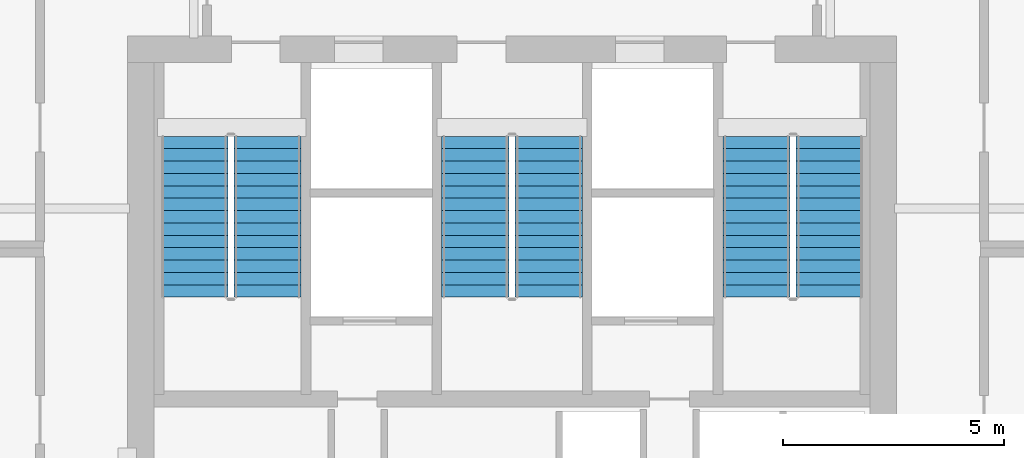
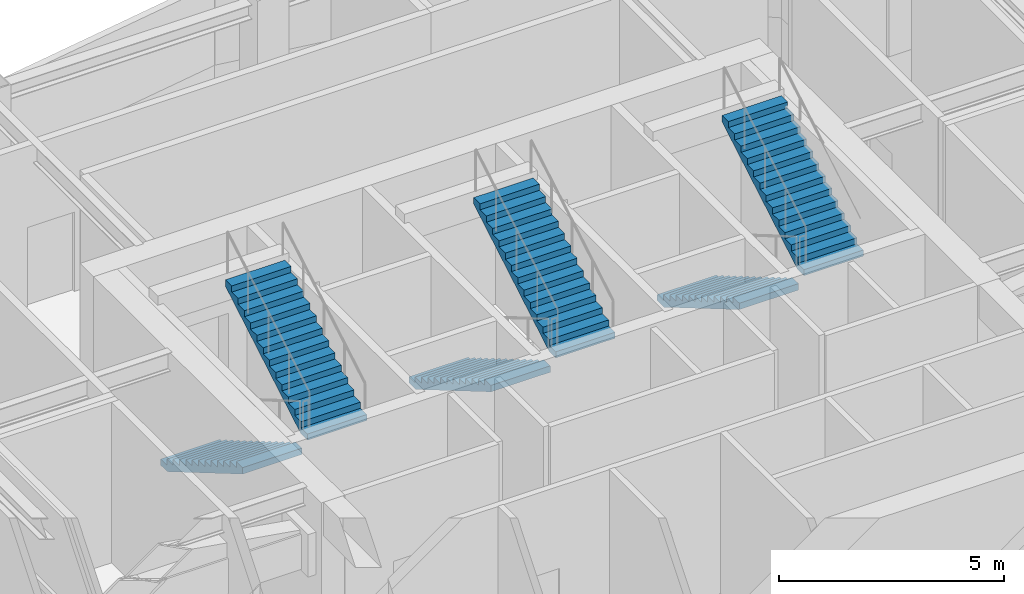
# One storey, part 15 of 19: 6 stair flights, 3 elements without a shape of their own.
"""IFC4 building model written with IfcOpenShell, lengths in metres."""

from ifc_helpers import new_model, si_unit, direction, frame, origin, place, context, subcontext, project, spatial, polyline, outline, extrude, material, type_object, element, aggregate, save


model = new_model("IFC4")

# Units and contexts
model_context = context("Model", 3, precision=1e-05, world=origin(), true_north=direction((0.0, 1.0)))
body_context = subcontext(model_context, "Body", "Model", "MODEL_VIEW")
ifc_project = project(units=[si_unit("LENGTHUNIT", "METRE"), si_unit("AREAUNIT", "SQUARE_METRE"), si_unit("VOLUMEUNIT", "CUBIC_METRE"), si_unit("PLANEANGLEUNIT", "RADIAN"), si_unit("MASSUNIT", "GRAM", prefix="KILO")], contexts=[model_context])

# Site, building, storey
site_placement = place(None, origin())
site = spatial("IfcSite", under=ifc_project, at=site_placement, CompositionType="ELEMENT")
building_placement = place(site_placement, origin())
building = spatial("IfcBuilding", under=site, at=building_placement, Name="Haolan Belvedere Tower", CompositionType="ELEMENT")
storey_placement = place(building_placement, frame((0.0, 0.0, 230.60009765625)))
storey = spatial("IfcBuildingStorey", under=building, at=storey_placement, Name="L58", CompositionType="ELEMENT", Elevation=230.60009765625)

# Stair, stair flights
ifc_material = material(Name="Concrete C40/50", Category="concrete")
stair_type = type_object("IfcStairType", Name="STR-DL-28R-164", PredefinedType="HALF_TURN_STAIR", material=ifc_material)
stair_1_placement = place(storey_placement, origin())
stair_1 = element("IfcStair", 1, at=stair_1_placement, inside=storey, type_object=stair_type, Name="L58 Smokeproof Core Exit Stair ST1", PredefinedType="HALF_TURN_STAIR")
stair_flight_type = type_object("IfcStairFlightType", Name="SFL-DL-14R-164", PredefinedType="STRAIGHT", material=ifc_material)
stair_flight_1_placement = place(storey_placement, frame((31.2099609375, 41.22998046875, 0.0), z_axis=(0.0, 0.0, 1.0), x_axis=(0.0, -1.0, 0.0)))
stair_flight_1 = element("IfcStairFlight", 2, at=stair_flight_1_placement, type_object=stair_flight_type, Name="ST1 flight 1", NumberOfRisers=14, NumberOfTreads=13, PredefinedType="STRAIGHT", RiserHeight=0.164285714, TreadLength=0.28, context=body_context, shape_type="SweptSolid", body=[
    extrude(outline(polyline([(0.0, 0.0), (0.0, 0.164306640625), (0.280029296875, 0.164306640625), (0.280029296875, 0.32861328125), (0.56005859375, 0.32861328125), (0.56005859375, 0.492919921875), (0.840087890625, 0.492919921875), (0.840087890625, 0.6572265625), (1.1201171875, 0.6572265625), (1.1201171875, 0.821533203125), (1.39990234375, 0.821533203125), (1.39990234375, 0.985595703125), (1.679931640625, 0.985595703125), (1.679931640625, 1.14990234375), (1.9599609375, 1.14990234375), (1.9599609375, 1.314208984375), (2.239990234375, 1.314208984375), (2.239990234375, 1.478515625), (2.52001953125, 1.478515625), (2.52001953125, 1.642822265625), (2.800048828125, 1.642822265625), (2.800048828125, 1.80712890625), (3.080078125, 1.80712890625), (3.080078125, 1.971435546875), (3.360107421875, 1.971435546875), (3.360107421875, 2.1357421875), (3.639892578125, 2.1357421875), (3.639892578125, 2.300048828125), (3.639892578125, 1.9619140625), (0.296142578125, 0.0), (0.0, 0.0)])), frame((0.0, 0.760009765625, 0.0), z_axis=(0.0, -1.0, 0.0), x_axis=(1.0, 0.0, 0.0)), (0.0, 0.0, 1.0), 1.52001953125),
])
stair_flight_2_placement = place(storey_placement, frame((32.8701171875, 37.590087890625, 2.2998046875), z_axis=(0.0, 0.0, 1.0), x_axis=(0.0, 1.0, 0.0)))
stair_flight_2 = element("IfcStairFlight", 3, at=stair_flight_2_placement, type_object=stair_flight_type, Name="ST1 flight 2", NumberOfRisers=14, NumberOfTreads=13, PredefinedType="STRAIGHT", RiserHeight=0.164285714, TreadLength=0.28, context=body_context, shape_type="SweptSolid", body=[
    extrude(outline(polyline([(0.0, 0.0), (0.0, 0.164306640625), (0.280029296875, 0.164306640625), (0.280029296875, 0.32861328125), (0.56005859375, 0.32861328125), (0.56005859375, 0.492919921875), (0.840087890625, 0.492919921875), (0.840087890625, 0.6572265625), (1.1201171875, 0.6572265625), (1.1201171875, 0.821533203125), (1.39990234375, 0.821533203125), (1.39990234375, 0.985595703125), (1.679931640625, 0.985595703125), (1.679931640625, 1.14990234375), (1.9599609375, 1.14990234375), (1.9599609375, 1.314208984375), (2.239990234375, 1.314208984375), (2.239990234375, 1.478515625), (2.52001953125, 1.478515625), (2.52001953125, 1.642822265625), (2.800048828125, 1.642822265625), (2.800048828125, 1.80712890625), (3.080078125, 1.80712890625), (3.080078125, 1.971435546875), (3.360107421875, 1.971435546875), (3.360107421875, 2.1357421875), (3.639892578125, 2.1357421875), (3.639892578125, 2.300048828125), (3.639892578125, 1.9619140625), (0.296142578125, 0.0), (0.0, 0.0)])), frame((0.0, 0.760009765625, 0.0), z_axis=(0.0, -1.0, 0.0), x_axis=(1.0, 0.0, 0.0)), (0.0, 0.0, 1.0), 1.52001953125),
])
aggregate(stair_1, [stair_flight_1, stair_flight_2])

stair_2_placement = place(storey_placement, origin())
stair_2 = element("IfcStair", 4, at=stair_2_placement, inside=storey, type_object=stair_type, Name="L58 Smokeproof Core Exit Stair ST3", PredefinedType="HALF_TURN_STAIR")
stair_flight_3_placement = place(storey_placement, frame((37.570068359375, 41.22998046875, 0.0), z_axis=(0.0, 0.0, 1.0), x_axis=(0.0, -1.0, 0.0)))
stair_flight_3 = element("IfcStairFlight", 5, at=stair_flight_3_placement, type_object=stair_flight_type, Name="ST3 flight 1", NumberOfRisers=14, NumberOfTreads=13, PredefinedType="STRAIGHT", RiserHeight=0.164285714, TreadLength=0.28, context=body_context, shape_type="SweptSolid", body=[
    extrude(outline(polyline([(0.0, 0.0), (0.0, 0.164306640625), (0.280029296875, 0.164306640625), (0.280029296875, 0.32861328125), (0.56005859375, 0.32861328125), (0.56005859375, 0.492919921875), (0.840087890625, 0.492919921875), (0.840087890625, 0.6572265625), (1.1201171875, 0.6572265625), (1.1201171875, 0.821533203125), (1.39990234375, 0.821533203125), (1.39990234375, 0.985595703125), (1.679931640625, 0.985595703125), (1.679931640625, 1.14990234375), (1.9599609375, 1.14990234375), (1.9599609375, 1.314208984375), (2.239990234375, 1.314208984375), (2.239990234375, 1.478515625), (2.52001953125, 1.478515625), (2.52001953125, 1.642822265625), (2.800048828125, 1.642822265625), (2.800048828125, 1.80712890625), (3.080078125, 1.80712890625), (3.080078125, 1.971435546875), (3.360107421875, 1.971435546875), (3.360107421875, 2.1357421875), (3.639892578125, 2.1357421875), (3.639892578125, 2.300048828125), (3.639892578125, 1.9619140625), (0.296142578125, 0.0), (0.0, 0.0)])), frame((0.0, 0.760009765625, 0.0), z_axis=(0.0, -1.0, 0.0), x_axis=(1.0, 0.0, 0.0)), (0.0, 0.0, 1.0), 1.52001953125),
])
stair_flight_4_placement = place(storey_placement, frame((39.22998046875, 37.590087890625, 2.2998046875), z_axis=(0.0, 0.0, 1.0), x_axis=(0.0, 1.0, 0.0)))
stair_flight_4 = element("IfcStairFlight", 6, at=stair_flight_4_placement, type_object=stair_flight_type, Name="ST3 flight 2", NumberOfRisers=14, NumberOfTreads=13, PredefinedType="STRAIGHT", RiserHeight=0.164285714, TreadLength=0.28, context=body_context, shape_type="SweptSolid", body=[
    extrude(outline(polyline([(0.0, 0.0), (0.0, 0.164306640625), (0.280029296875, 0.164306640625), (0.280029296875, 0.32861328125), (0.56005859375, 0.32861328125), (0.56005859375, 0.492919921875), (0.840087890625, 0.492919921875), (0.840087890625, 0.6572265625), (1.1201171875, 0.6572265625), (1.1201171875, 0.821533203125), (1.39990234375, 0.821533203125), (1.39990234375, 0.985595703125), (1.679931640625, 0.985595703125), (1.679931640625, 1.14990234375), (1.9599609375, 1.14990234375), (1.9599609375, 1.314208984375), (2.239990234375, 1.314208984375), (2.239990234375, 1.478515625), (2.52001953125, 1.478515625), (2.52001953125, 1.642822265625), (2.800048828125, 1.642822265625), (2.800048828125, 1.80712890625), (3.080078125, 1.80712890625), (3.080078125, 1.971435546875), (3.360107421875, 1.971435546875), (3.360107421875, 2.1357421875), (3.639892578125, 2.1357421875), (3.639892578125, 2.300048828125), (3.639892578125, 1.9619140625), (0.296142578125, 0.0), (0.0, 0.0)])), frame((0.0, 0.760009765625, 0.0), z_axis=(0.0, -1.0, 0.0), x_axis=(1.0, 0.0, 0.0)), (0.0, 0.0, 1.0), 1.52001953125),
])
aggregate(stair_2, [stair_flight_3, stair_flight_4])

stair_3_placement = place(storey_placement, origin())
stair_3 = element("IfcStair", 7, at=stair_3_placement, inside=storey, type_object=stair_type, Name="L58 Smokeproof Core Exit Stair ST2", PredefinedType="HALF_TURN_STAIR")
stair_flight_5_placement = place(storey_placement, frame((43.929931640625, 41.22998046875, 0.0), z_axis=(0.0, 0.0, 1.0), x_axis=(0.0, -1.0, 0.0)))
stair_flight_5 = element("IfcStairFlight", 8, at=stair_flight_5_placement, type_object=stair_flight_type, Name="ST2 flight 1", NumberOfRisers=14, NumberOfTreads=13, PredefinedType="STRAIGHT", RiserHeight=0.164285714, TreadLength=0.28, context=body_context, shape_type="SweptSolid", body=[
    extrude(outline(polyline([(0.0, 0.0), (0.0, 0.164306640625), (0.280029296875, 0.164306640625), (0.280029296875, 0.32861328125), (0.56005859375, 0.32861328125), (0.56005859375, 0.492919921875), (0.840087890625, 0.492919921875), (0.840087890625, 0.6572265625), (1.1201171875, 0.6572265625), (1.1201171875, 0.821533203125), (1.39990234375, 0.821533203125), (1.39990234375, 0.985595703125), (1.679931640625, 0.985595703125), (1.679931640625, 1.14990234375), (1.9599609375, 1.14990234375), (1.9599609375, 1.314208984375), (2.239990234375, 1.314208984375), (2.239990234375, 1.478515625), (2.52001953125, 1.478515625), (2.52001953125, 1.642822265625), (2.800048828125, 1.642822265625), (2.800048828125, 1.80712890625), (3.080078125, 1.80712890625), (3.080078125, 1.971435546875), (3.360107421875, 1.971435546875), (3.360107421875, 2.1357421875), (3.639892578125, 2.1357421875), (3.639892578125, 2.300048828125), (3.639892578125, 1.9619140625), (0.296142578125, 0.0), (0.0, 0.0)])), frame((0.0, 0.760009765625, 0.0), z_axis=(0.0, -1.0, 0.0), x_axis=(1.0, 0.0, 0.0)), (0.0, 0.0, 1.0), 1.52001953125),
])
stair_flight_6_placement = place(storey_placement, frame((45.590087890625, 37.590087890625, 2.2998046875), z_axis=(0.0, 0.0, 1.0), x_axis=(0.0, 1.0, 0.0)))
stair_flight_6 = element("IfcStairFlight", 9, at=stair_flight_6_placement, type_object=stair_flight_type, Name="ST2 flight 2", NumberOfRisers=14, NumberOfTreads=13, PredefinedType="STRAIGHT", RiserHeight=0.164285714, TreadLength=0.28, context=body_context, shape_type="SweptSolid", body=[
    extrude(outline(polyline([(0.0, 0.0), (0.0, 0.164306640625), (0.280029296875, 0.164306640625), (0.280029296875, 0.32861328125), (0.56005859375, 0.32861328125), (0.56005859375, 0.492919921875), (0.840087890625, 0.492919921875), (0.840087890625, 0.6572265625), (1.1201171875, 0.6572265625), (1.1201171875, 0.821533203125), (1.39990234375, 0.821533203125), (1.39990234375, 0.985595703125), (1.679931640625, 0.985595703125), (1.679931640625, 1.14990234375), (1.9599609375, 1.14990234375), (1.9599609375, 1.314208984375), (2.239990234375, 1.314208984375), (2.239990234375, 1.478515625), (2.52001953125, 1.478515625), (2.52001953125, 1.642822265625), (2.800048828125, 1.642822265625), (2.800048828125, 1.80712890625), (3.080078125, 1.80712890625), (3.080078125, 1.971435546875), (3.360107421875, 1.971435546875), (3.360107421875, 2.1357421875), (3.639892578125, 2.1357421875), (3.639892578125, 2.300048828125), (3.639892578125, 1.9619140625), (0.296142578125, 0.0), (0.0, 0.0)])), frame((0.0, 0.760009765625, 0.0), z_axis=(0.0, -1.0, 0.0), x_axis=(1.0, 0.0, 0.0)), (0.0, 0.0, 1.0), 1.52001953125),
])
aggregate(stair_3, [stair_flight_5, stair_flight_6])

save(model, "model.ifc")
